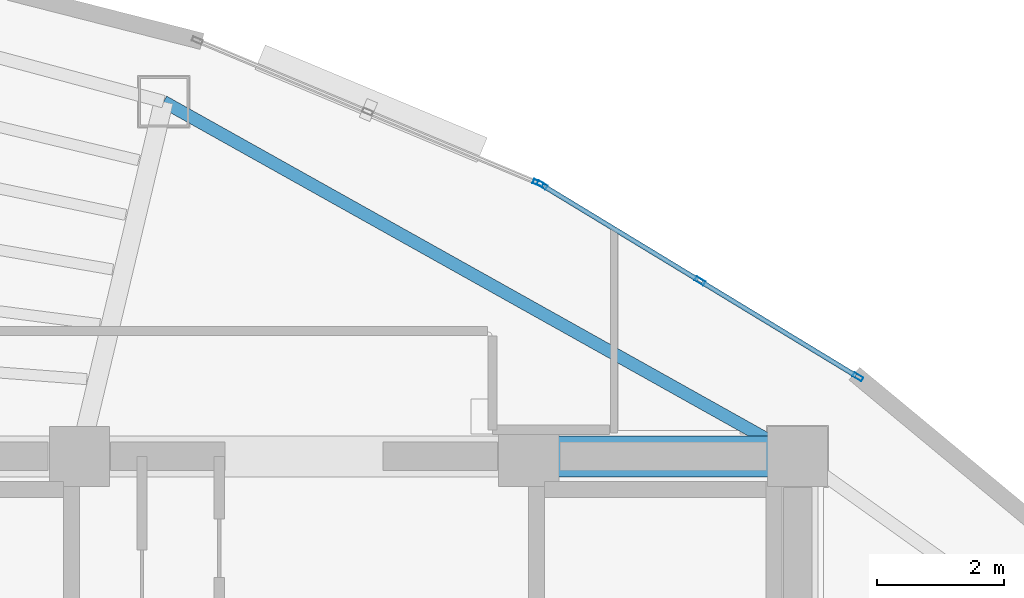
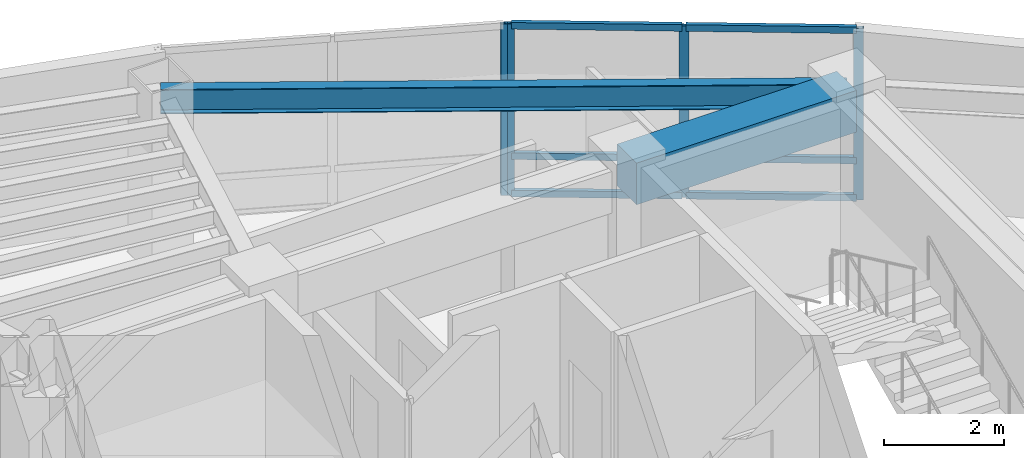
# One storey, part 10 of 15: 10 members, 2 beams, 2 elements without a shape of their own.
"""IFC4 building model written with IfcOpenShell, lengths in metres."""

from ifc_helpers import new_model, si_unit, direction, frame, origin, origin_2d, place, context, subcontext, project, spatial, rectangle, hollow_rectangle, i_section, extrude, material, layer, layer_set, material_profile, profile_set, type_object, element, aggregate, save


model = new_model("IFC4")

# Units and contexts
model_context = context("Model", 3, precision=1e-05, world=origin(), true_north=direction((0.0, 1.0)))
body_context = subcontext(model_context, "Body", "Model", "MODEL_VIEW")
ifc_project = project(units=[si_unit("LENGTHUNIT", "METRE"), si_unit("AREAUNIT", "SQUARE_METRE"), si_unit("VOLUMEUNIT", "CUBIC_METRE"), si_unit("PLANEANGLEUNIT", "RADIAN"), si_unit("MASSUNIT", "GRAM", prefix="KILO")], contexts=[model_context])

# Site, building, storey
site_placement = place(None, origin())
site = spatial("IfcSite", under=ifc_project, at=site_placement, CompositionType="ELEMENT")
building_placement = place(site_placement, origin())
building = spatial("IfcBuilding", under=site, at=building_placement, Name="Menara Vayukalpa", CompositionType="ELEMENT")
storey_placement = place(building_placement, frame((0.0, 0.0, 262.02001953125)))
storey = spatial("IfcBuildingStorey", under=building, at=storey_placement, Name="L66", CompositionType="ELEMENT", Elevation=262.02001953125)

# Beams
ifc_material_1 = material(Name="Concrete C60/75", Category="concrete")
ifc_material_profile_1 = material_profile(ifc_material_1, rectangle(XDim=0.64990234375, YDim=0.85009765625, at=origin_2d()), Name="RC 650x850")
ifc_profile_set_1 = profile_set([ifc_material_profile_1], Name="Concrete C60/75")
beam_type_1 = type_object("IfcBeamType", Name="BM-CB1", PredefinedType="BEAM", material=ifc_profile_set_1)
beam_1_placement = place(storey_placement, frame((29.14990234375, 26.800048828125, 3.074951171875), z_axis=(1.0, 0.0, 0.0), x_axis=(0.0, 1.0, 0.0)))
element("IfcBeam", 1, at=beam_1_placement, inside=storey, type_object=beam_type_1, Name="L66 Core Tie Beam CBR6", PredefinedType="BEAM", context=body_context, shape_type="SweptSolid", body=[
    extrude(rectangle(XDim=0.64990234375, YDim=0.85009765625, at=origin_2d()), origin(), (0.0, 0.0, 1.0), 4.25),
])
ifc_material_2 = material(Name="Steel S355", Category="steel")
ifc_material_profile_2 = material_profile(ifc_material_2, i_section(OverallWidth=0.199951171875, OverallDepth=0.5, WebThickness=0.010009765625, FlangeThickness=0.01611328125, at=origin_2d()), Name="WF 500x200x10x16")
ifc_profile_set_2 = profile_set([ifc_material_profile_2], Name="Steel S355")
beam_type_2 = type_object("IfcBeamType", Name="BM-SP3", PredefinedType="SPANDREL", material=ifc_profile_set_2)
beam_2_placement = place(storey_placement, frame((33.39990234375, 26.800048828125, 3.25), z_axis=(-0.87270577288, 0.48824648896, 0.0), x_axis=(-0.48824648896, -0.87270577288, 0.0)))
element("IfcBeam", 2, at=beam_2_placement, inside=storey, type_object=beam_type_2, Name="L66 Perimeter Spandrel Beam SP02", PredefinedType="SPANDREL", context=body_context, shape_type="SweptSolid", body=[
    extrude(i_section(OverallWidth=0.199951171875, OverallDepth=0.5, WebThickness=0.010009765625, FlangeThickness=0.01611328125, at=origin_2d()), origin(), (0.0, 0.0, 1.0), 11.479248046875),
])

# Curtain wall, members
ifc_material_3 = material(Name="Anodised Terracotta Aluminium Alloy 6063-T6", Category="masonry")
ifc_layer = layer(ifc_material_3, 0.1650390625)
ifc_layer_set = layer_set([ifc_layer], Name="Anodised Terracotta Aluminium Alloy 6063-T6")
curtain_wall_type = type_object("IfcCurtainWallType", Name="CW-CW6", PredefinedType="USERDEFINED", material=ifc_layer_set)
curtain_wall_1_placement = place(storey_placement, origin())
curtain_wall_1 = element("IfcCurtainWall", 3, at=curtain_wall_1_placement, inside=storey, type_object=curtain_wall_type, Name="L66 Observation and Executive Curtain Wall CW6 04", ObjectType="UNITISED", PredefinedType="USERDEFINED")
ifc_material_4 = material(Name="Anodised Terracotta Aluminium Alloy 6063-T6", Category="masonry")
ifc_material_profile_3 = material_profile(ifc_material_4, hollow_rectangle(XDim=0.070068359375, YDim=0.1650390625, WallThickness=0.00390625, at=origin_2d()), Name="ALU 70x165x4")
ifc_profile_set_3 = profile_set([ifc_material_profile_3], Name="Anodised Terracotta Aluminium Alloy 6063-T6")
member_type_1 = type_object("IfcMemberType", Name="CWM-CW6", PredefinedType="MULLION", material=ifc_profile_set_3)
member_1_placement = place(storey_placement, frame((34.35009765625, 28.056396484375, 0.0), z_axis=(0.0, 0.0, 1.0), x_axis=(-0.519175574558, -0.854667609532, 0.0)))
member_1 = element("IfcMember", 4, at=member_1_placement, type_object=member_type_1, Name="CW6 mullion 1", PredefinedType="MULLION", context=body_context, shape_type="SweptSolid", body=[
    extrude(hollow_rectangle(XDim=0.070068359375, YDim=0.1650390625, WallThickness=0.00390625, at=origin_2d()), origin(), (0.0, 0.0, 1.0), 3.5),
])
member_2_placement = place(storey_placement, frame((31.85546875, 29.57177734375, 0.0), z_axis=(0.0, 0.0, 1.0), x_axis=(-0.519175574558, -0.854667609532, 0.0)))
member_2 = element("IfcMember", 5, at=member_2_placement, type_object=member_type_1, Name="CW6 mullion 2", PredefinedType="MULLION", context=body_context, shape_type="SweptSolid", body=[
    extrude(hollow_rectangle(XDim=0.070068359375, YDim=0.1650390625, WallThickness=0.00390625, at=origin_2d()), origin(), (0.0, 0.0, 1.0), 3.5),
])
member_3_placement = place(storey_placement, frame((29.36083984375, 31.087158203125, 0.0), z_axis=(0.0, 0.0, 1.0), x_axis=(-0.519175574558, -0.854667609532, 0.0)))
member_3 = element("IfcMember", 6, at=member_3_placement, type_object=member_type_1, Name="CW6 mullion 3", PredefinedType="MULLION", context=body_context, shape_type="SweptSolid", body=[
    extrude(hollow_rectangle(XDim=0.070068359375, YDim=0.1650390625, WallThickness=0.00390625, at=origin_2d()), origin(), (0.0, 0.0, 1.0), 3.5),
])

# Curtain wall, member
curtain_wall_2_placement = place(storey_placement, origin())
curtain_wall_2 = element("IfcCurtainWall", 7, at=curtain_wall_2_placement, inside=storey, type_object=curtain_wall_type, Name="L66 Observation and Executive Curtain Wall CW6 05", ObjectType="UNITISED", PredefinedType="USERDEFINED")
member_4_placement = place(storey_placement, frame((29.298828125, 31.118896484375, 0.0), z_axis=(0.0, 0.0, 1.0), x_axis=(-0.385899911703, -0.922540653927, 0.0)))
member_4 = element("IfcMember", 8, at=member_4_placement, type_object=member_type_1, Name="CW6 mullion 1", PredefinedType="MULLION", context=body_context, shape_type="SweptSolid", body=[
    extrude(hollow_rectangle(XDim=0.070068359375, YDim=0.1650390625, WallThickness=0.00390625, at=origin_2d()), origin(), (0.0, 0.0, 1.0), 3.5),
])
aggregate(curtain_wall_2, [member_4])

# Member
ifc_material_5 = material(Name="Anodised Terracotta Aluminium Alloy 6063-T6", Category="masonry")
ifc_material_profile_4 = material_profile(ifc_material_5, hollow_rectangle(XDim=0.074951171875, YDim=0.135009765625, WallThickness=0.00390625, at=origin_2d()), Name="ALU 75x135x4")
ifc_profile_set_4 = profile_set([ifc_material_profile_4], Name="Anodised Terracotta Aluminium Alloy 6063-T6")
member_type_2 = type_object("IfcMemberType", Name="CWT-CW6", PredefinedType="USERDEFINED", material=ifc_profile_set_4)
member_5_placement = place(storey_placement, frame((34.320068359375, 28.07470703125, 0.03759765625), z_axis=(-0.854674800659, 0.519163736328, 0.0), x_axis=(-0.519163736328, -0.85467480066, 0.0)))
member_5 = element("IfcMember", 9, at=member_5_placement, type_object=member_type_2, Name="CW6 transom 1.1", ObjectType="TRANSOM", PredefinedType="USERDEFINED", context=body_context, shape_type="SweptSolid", body=[
    extrude(hollow_rectangle(XDim=0.074951171875, YDim=0.135009765625, WallThickness=0.00390625, at=origin_2d()), origin(), (0.0, 0.0, 1.0), 2.848876953125),
])

member_6_placement = place(storey_placement, frame((34.320068359375, 28.07470703125, 0.800048828125), z_axis=(-0.854674800659, 0.519163736328, 0.0), x_axis=(-0.519163736328, -0.85467480066, 0.0)))
member_6 = element("IfcMember", 10, at=member_6_placement, type_object=member_type_2, Name="CW6 transom 1.2", ObjectType="TRANSOM", PredefinedType="USERDEFINED", context=body_context, shape_type="SweptSolid", body=[
    extrude(hollow_rectangle(XDim=0.074951171875, YDim=0.135009765625, WallThickness=0.00390625, at=origin_2d()), origin(), (0.0, 0.0, 1.0), 2.848876953125),
])

member_7_placement = place(storey_placement, frame((34.320068359375, 28.07470703125, 3.46240234375), z_axis=(-0.854674800659, 0.519163736328, 0.0), x_axis=(-0.519163736328, -0.85467480066, 0.0)))
member_7 = element("IfcMember", 11, at=member_7_placement, type_object=member_type_2, Name="CW6 transom 1.3", ObjectType="TRANSOM", PredefinedType="USERDEFINED", context=body_context, shape_type="SweptSolid", body=[
    extrude(hollow_rectangle(XDim=0.074951171875, YDim=0.135009765625, WallThickness=0.00390625, at=origin_2d()), origin(), (0.0, 0.0, 1.0), 2.848876953125),
])

member_8_placement = place(storey_placement, frame((31.825439453125, 29.590087890625, 0.03759765625), z_axis=(-0.854689729536, 0.519139158825, 0.0), x_axis=(-0.519139158825, -0.854689729536, 0.0)))
member_8 = element("IfcMember", 12, at=member_8_placement, type_object=member_type_2, Name="CW6 transom 2.1", ObjectType="TRANSOM", PredefinedType="USERDEFINED", context=body_context, shape_type="SweptSolid", body=[
    extrude(hollow_rectangle(XDim=0.074951171875, YDim=0.135009765625, WallThickness=0.00390625, at=origin_2d()), origin(), (0.0, 0.0, 1.0), 2.848388671875),
])

member_9_placement = place(storey_placement, frame((31.825439453125, 29.590087890625, 0.800048828125), z_axis=(-0.854689729536, 0.519139158825, 0.0), x_axis=(-0.519139158825, -0.854689729536, 0.0)))
member_9 = element("IfcMember", 13, at=member_9_placement, type_object=member_type_2, Name="CW6 transom 2.2", ObjectType="TRANSOM", PredefinedType="USERDEFINED", context=body_context, shape_type="SweptSolid", body=[
    extrude(hollow_rectangle(XDim=0.074951171875, YDim=0.135009765625, WallThickness=0.00390625, at=origin_2d()), origin(), (0.0, 0.0, 1.0), 2.848388671875),
])

member_10_placement = place(storey_placement, frame((31.825439453125, 29.590087890625, 3.46240234375), z_axis=(-0.854689729536, 0.519139158825, 0.0), x_axis=(-0.519139158825, -0.854689729536, 0.0)))
member_10 = element("IfcMember", 14, at=member_10_placement, type_object=member_type_2, Name="CW6 transom 2.3", ObjectType="TRANSOM", PredefinedType="USERDEFINED", context=body_context, shape_type="SweptSolid", body=[
    extrude(hollow_rectangle(XDim=0.074951171875, YDim=0.135009765625, WallThickness=0.00390625, at=origin_2d()), origin(), (0.0, 0.0, 1.0), 2.848388671875),
])

aggregate(curtain_wall_1, [member_1, member_2, member_3, member_5, member_6, member_7, member_8, member_9, member_10])

save(model, "model.ifc")
